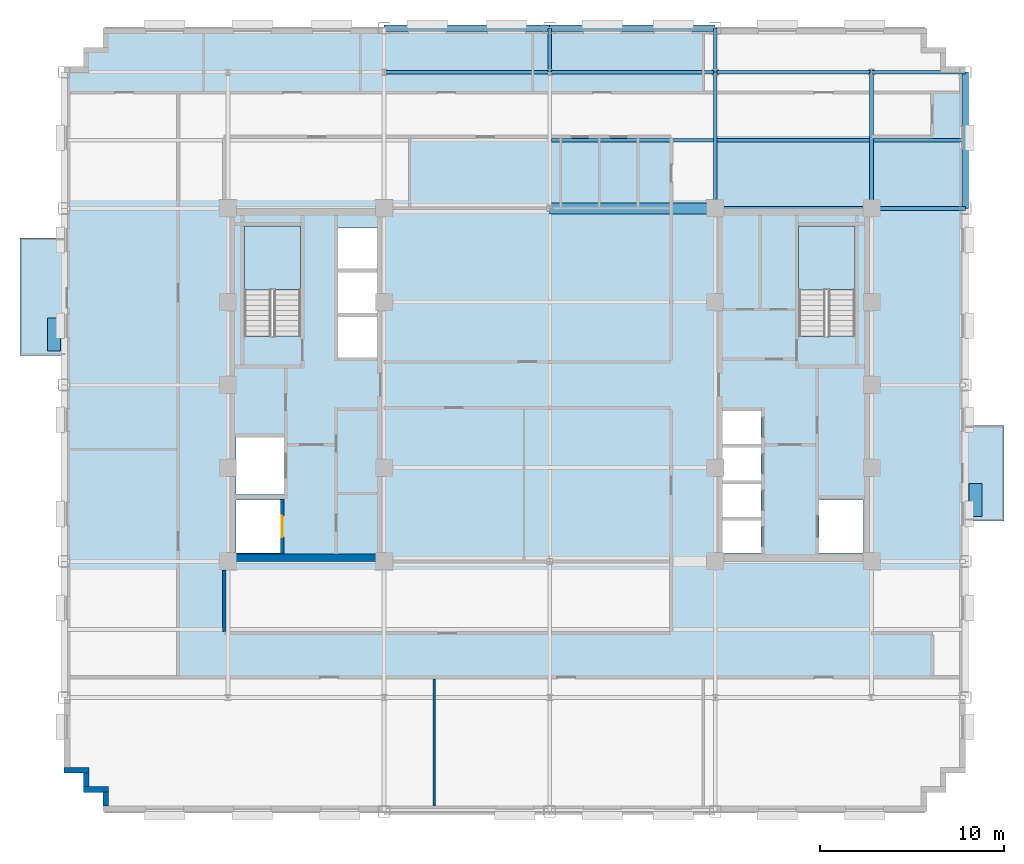
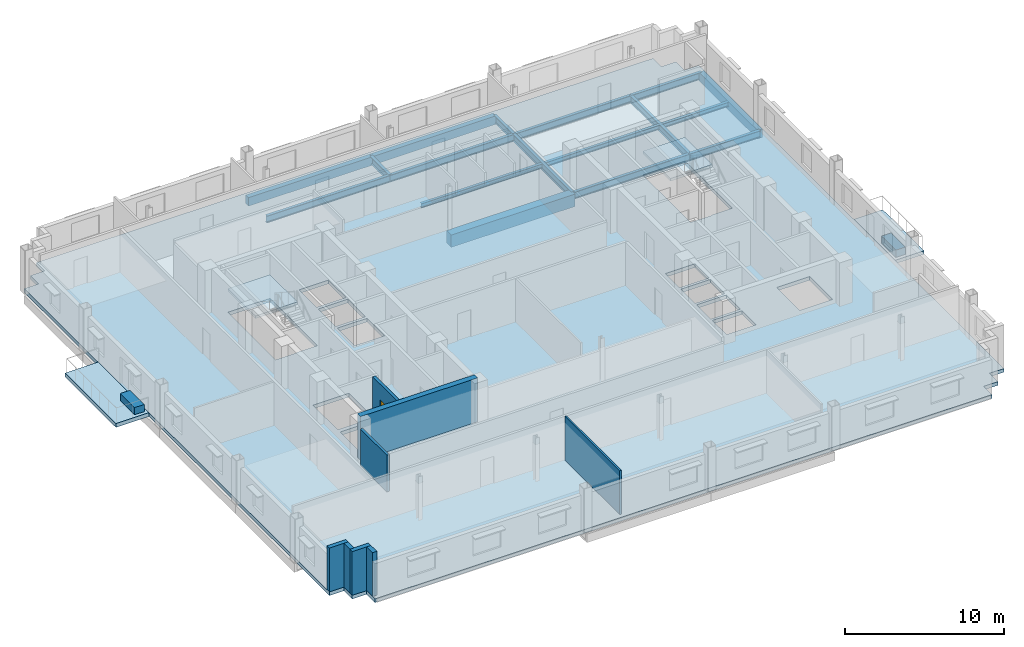
# One storey, part 6 of 14: 17 beams, 8 walls, 5 slabs, 2 plates, 1 door, 1 opening, 2 elements without a shape of their own.
"""IFC4 building model written with IfcOpenShell, lengths in metres."""

from ifc_helpers import new_model, si_unit, direction, frame, frame_2d, origin, origin_2d, place, context, subcontext, project, spatial, polyline, rectangle, i_section, outline, extrude, source, transform, mapped, material, layer, layer_set, material_profile, profile_set, type_object, type_shapes, element, fill, aggregate, save


model = new_model("IFC4")

# Units and contexts
model_context = context("Model", 3, precision=1e-05, world=origin(), true_north=direction((0.0, 1.0)))
body_context = subcontext(model_context, "Body", "Model", "MODEL_VIEW")
ifc_project = project(units=[si_unit("LENGTHUNIT", "METRE"), si_unit("AREAUNIT", "SQUARE_METRE"), si_unit("VOLUMEUNIT", "CUBIC_METRE"), si_unit("PLANEANGLEUNIT", "RADIAN"), si_unit("MASSUNIT", "GRAM", prefix="KILO")], contexts=[model_context])

# Site, building, storey
site_placement = place(None, origin())
site = spatial("IfcSite", under=ifc_project, at=site_placement, CompositionType="ELEMENT")
building_placement = place(site_placement, origin())
building = spatial("IfcBuilding", under=site, at=building_placement, Name="Nuvemarco Arch Tower", CompositionType="ELEMENT")
storey_placement = place(building_placement, frame((0.0, 0.0, 171.300048828125)))
storey = spatial("IfcBuildingStorey", under=building, at=storey_placement, Name="L45", CompositionType="ELEMENT", Elevation=171.300048828125)

# Beams
ifc_material_1 = material(Name="Concrete C60/75", Category="concrete")
ifc_material_profile_1 = material_profile(ifc_material_1, rectangle(XDim=0.60009765625, YDim=0.949951171875, at=origin_2d()), Name="RC-BM-600x950")
ifc_profile_set_1 = profile_set([ifc_material_profile_1], Name="Concrete C60/75")
beam_type_1 = type_object("IfcBeamType", Name="BM-COUP-RC", PredefinedType="LINTEL", material=ifc_profile_set_1)
beam_1_placement = place(storey_placement, frame((0.0, 9.60009765625, -0.755126953125), z_axis=(1.0, 0.0, 0.0), x_axis=(0.0, 1.0, 0.0)))
element("IfcBeam", 1, at=beam_1_placement, inside=storey, type_object=beam_type_1, Name="L45 structural beam BGEW_L45_0_+9.6_+0.0", PredefinedType="LINTEL", context=body_context, shape_type="SweptSolid", body=[
    extrude(rectangle(XDim=0.60009765625, YDim=0.949951171875, at=origin_2d()), origin(), (0.0, 0.0, 1.0), 9.0),
])
ifc_material_2 = material(Name="Steel S355", Category="steel")
ifc_material_profile_2 = material_profile(ifc_material_2, i_section(OverallWidth=0.2109375, OverallDepth=0.5390625, WebThickness=0.01171875, FlangeThickness=0.018798828125, FilletRadius=0.01611328125, at=origin_2d()), Name="W530x109")
ifc_profile_set_2 = profile_set([ifc_material_profile_2], Name="Steel S355")
beam_type_2 = type_object("IfcBeamType", Name="BM-GIRD-530", PredefinedType="BEAM", material=ifc_profile_set_2)
beam_2_placement = place(storey_placement, frame((0.0, 17.0, -0.549560546875), z_axis=(0.0, 1.0, 0.0), x_axis=(-1.0, 0.0, 0.0)))
element("IfcBeam", 2, at=beam_2_placement, inside=storey, type_object=beam_type_2, Name="L45 structural beam BGNS_L45_0_+0.0_+17.0", PredefinedType="BEAM", context=body_context, shape_type="SweptSolid", body=[
    extrude(i_section(OverallWidth=0.2109375, OverallDepth=0.5390625, WebThickness=0.01171875, FlangeThickness=0.018798828125, FilletRadius=0.01611328125, at=origin_2d()), origin(), (0.0, 0.0, 1.0), 2.39990234375),
])
beam_3_placement = place(storey_placement, frame((9.0, 9.60009765625, -0.549560546875), z_axis=(0.0, 1.0, 0.0), x_axis=(-1.0, 0.0, 0.0)))
element("IfcBeam", 3, at=beam_3_placement, inside=storey, type_object=beam_type_2, Name="L45 structural beam BGNS_L45_0_+9.0_+9.6", PredefinedType="BEAM", context=body_context, shape_type="SweptSolid", body=[
    extrude(i_section(OverallWidth=0.2109375, OverallDepth=0.5390625, WebThickness=0.01171875, FlangeThickness=0.018798828125, FilletRadius=0.01611328125, at=origin_2d()), origin(), (0.0, 0.0, 1.0), 7.39990234375),
])
beam_4_placement = place(storey_placement, frame((9.0, 17.0, -0.549560546875), z_axis=(0.0, 1.0, 0.0), x_axis=(-1.0, 0.0, 0.0)))
element("IfcBeam", 4, at=beam_4_placement, inside=storey, type_object=beam_type_2, Name="L45 structural beam BGNS_L45_0_+9.0_+17.0", PredefinedType="BEAM", context=body_context, shape_type="SweptSolid", body=[
    extrude(i_section(OverallWidth=0.2109375, OverallDepth=0.5390625, WebThickness=0.01171875, FlangeThickness=0.018798828125, FilletRadius=0.01611328125, at=origin_2d()), origin(), (0.0, 0.0, 1.0), 2.39990234375),
])
beam_5_placement = place(storey_placement, frame((17.5, 9.60009765625, -0.549560546875), z_axis=(0.0, 1.0, 0.0), x_axis=(-1.0, 0.0, 0.0)))
element("IfcBeam", 5, at=beam_5_placement, inside=storey, type_object=beam_type_2, Name="L45 structural beam BGNS_L45_0_+17.5_+9.6", PredefinedType="BEAM", context=body_context, shape_type="SweptSolid", body=[
    extrude(i_section(OverallWidth=0.2109375, OverallDepth=0.5390625, WebThickness=0.01171875, FlangeThickness=0.018798828125, FilletRadius=0.01611328125, at=origin_2d()), origin(), (0.0, 0.0, 1.0), 7.39990234375),
])
beam_6_placement = place(storey_placement, frame((9.0, 9.60009765625, -0.549560546875), z_axis=(1.0, 0.0, 0.0), x_axis=(0.0, 1.0, 0.0)))
element("IfcBeam", 6, at=beam_6_placement, inside=storey, type_object=beam_type_2, Name="L45 structural beam BGEW_L45_0_+9.6_+9.0", PredefinedType="BEAM", context=body_context, shape_type="SweptSolid", body=[
    extrude(i_section(OverallWidth=0.2109375, OverallDepth=0.5390625, WebThickness=0.01171875, FlangeThickness=0.018798828125, FilletRadius=0.01611328125, at=origin_2d()), origin(), (0.0, 0.0, 1.0), 8.5),
])
beam_7_placement = place(storey_placement, frame((17.5, 9.60009765625, -0.549560546875), z_axis=(1.0, 0.0, 0.0), x_axis=(0.0, 1.0, 0.0)))
element("IfcBeam", 7, at=beam_7_placement, inside=storey, type_object=beam_type_2, Name="L45 structural beam BGEW_L45_0_+9.6_+17.5", PredefinedType="BEAM", context=body_context, shape_type="SweptSolid", body=[
    extrude(i_section(OverallWidth=0.2109375, OverallDepth=0.5390625, WebThickness=0.01171875, FlangeThickness=0.018798828125, FilletRadius=0.01611328125, at=origin_2d()), origin(), (0.0, 0.0, 1.0), 5.10009765625),
])
for number, where, z_axis, x_axis, name in (
    (8, (-9.0, 17.0, -0.549560546875), (1.0, 0.0, 0.0), (0.0, 1.0, 0.0), "L45 structural beam BGEW_L45_0_+17.0_-9.0"),
    (9, (0.0, 17.0, -0.549560546875), (1.0, 0.0, 0.0), (0.0, 1.0, 0.0), "L45 structural beam BGEW_L45_0_+17.0_+0.0"),
):
    element("IfcBeam", number, at=place(storey_placement, frame(where, z_axis=z_axis, x_axis=x_axis)), inside=storey, type_object=beam_type_2, Name=name, PredefinedType="BEAM", context=body_context, shape_type="SweptSolid", body=[
        extrude(i_section(OverallWidth=0.2109375, OverallDepth=0.5390625, WebThickness=0.01171875, FlangeThickness=0.018798828125, FilletRadius=0.01611328125, at=origin_2d()), origin(), (0.0, 0.0, 1.0), 9.0),
    ])
beam_8_placement = place(storey_placement, frame((9.0, 17.0, -0.549560546875), z_axis=(1.0, 0.0, 0.0), x_axis=(0.0, 1.0, 0.0)))
element("IfcBeam", 10, at=beam_8_placement, inside=storey, type_object=beam_type_2, Name="L45 structural beam BGEW_L45_0_+17.0_+9.0", PredefinedType="BEAM", context=body_context, shape_type="SweptSolid", body=[
    extrude(i_section(OverallWidth=0.2109375, OverallDepth=0.5390625, WebThickness=0.01171875, FlangeThickness=0.018798828125, FilletRadius=0.01611328125, at=origin_2d()), origin(), (0.0, 0.0, 1.0), 8.5),
])
beam_9_placement = place(storey_placement, frame((17.5, 17.0, -0.549560546875), z_axis=(1.0, 0.0, 0.0), x_axis=(0.0, 1.0, 0.0)))
element("IfcBeam", 11, at=beam_9_placement, inside=storey, type_object=beam_type_2, Name="L45 structural beam BGEW_L45_0_+17.0_+17.5", PredefinedType="BEAM", context=body_context, shape_type="SweptSolid", body=[
    extrude(i_section(OverallWidth=0.2109375, OverallDepth=0.5390625, WebThickness=0.01171875, FlangeThickness=0.018798828125, FilletRadius=0.01611328125, at=origin_2d()), origin(), (0.0, 0.0, 1.0), 5.10009765625),
])
ifc_material_profile_3 = material_profile(ifc_material_2, i_section(OverallWidth=0.202880859375, OverallDepth=0.346923828125, WebThickness=0.0078125, FlangeThickness=0.013427734375, FilletRadius=0.014892578125, at=origin_2d()), Name="W360x64")
ifc_profile_set_3 = profile_set([ifc_material_profile_3], Name="Steel S355")
beam_type_3 = type_object("IfcBeamType", Name="BM-JOIST-360", PredefinedType="JOIST", material=ifc_profile_set_3)
beam_10_placement = place(storey_placement, frame((0.10546875, 13.300048828125, -0.45361328125), z_axis=(1.0, 0.0, 0.0), x_axis=(0.0, 1.0, 0.0)))
element("IfcBeam", 12, at=beam_10_placement, inside=storey, type_object=beam_type_3, Name="L45 structural beam BJ_L45_0_+13.3_+0.0", PredefinedType="JOIST", context=body_context, shape_type="SweptSolid", body=[
    extrude(i_section(OverallWidth=0.202880859375, OverallDepth=0.346923828125, WebThickness=0.0078125, FlangeThickness=0.013427734375, FilletRadius=0.014892578125, at=origin_2d()), origin(), (0.0, 0.0, 1.0), 8.7890625),
])
beam_11_placement = place(storey_placement, frame((9.10546875, 13.300048828125, -0.45361328125), z_axis=(1.0, 0.0, 0.0), x_axis=(0.0, 1.0, 0.0)))
element("IfcBeam", 13, at=beam_11_placement, inside=storey, type_object=beam_type_3, Name="L45 structural beam BJ_L45_0_+13.3_+9.0", PredefinedType="JOIST", context=body_context, shape_type="SweptSolid", body=[
    extrude(i_section(OverallWidth=0.202880859375, OverallDepth=0.346923828125, WebThickness=0.0078125, FlangeThickness=0.013427734375, FilletRadius=0.014892578125, at=origin_2d()), origin(), (0.0, 0.0, 1.0), 8.2890625),
])
beam_12_placement = place(storey_placement, frame((17.60546875, 13.300048828125, -0.45361328125), z_axis=(1.0, 0.0, 0.0), x_axis=(0.0, 1.0, 0.0)))
element("IfcBeam", 14, at=beam_12_placement, inside=storey, type_object=beam_type_3, Name="L45 structural beam BJ_L45_0_+13.3_+17.5", PredefinedType="JOIST", context=body_context, shape_type="SweptSolid", body=[
    extrude(i_section(OverallWidth=0.202880859375, OverallDepth=0.346923828125, WebThickness=0.0078125, FlangeThickness=0.013427734375, FilletRadius=0.014892578125, at=origin_2d()), origin(), (0.0, 0.0, 1.0), 4.819580078125),
])
ifc_material_3 = material(Name="Precast concrete C45/55", Category="concrete")
ifc_material_profile_4 = material_profile(ifc_material_3, rectangle(XDim=0.35009765625, YDim=0.64990234375, at=origin_2d()), Name="PC-SP-350x650")
ifc_profile_set_4 = profile_set([ifc_material_profile_4], Name="Precast concrete C45/55")
beam_type_4 = type_object("IfcBeamType", Name="BM-SPAN-RC", PredefinedType="SPANDREL", material=ifc_profile_set_4)
beam_13_placement = place(storey_placement, frame((22.60009765625, 9.60009765625, -0.60498046875), z_axis=(0.0, 1.0, 0.0), x_axis=(-1.0, 0.0, 0.0)))
element("IfcBeam", 15, at=beam_13_placement, inside=storey, type_object=beam_type_4, Name="L45 structural beam BGNS_L45_0_+22.6_+9.6", PredefinedType="SPANDREL", context=body_context, shape_type="SweptSolid", body=[
    extrude(rectangle(XDim=0.35009765625, YDim=0.64990234375, at=origin_2d()), origin(), (0.0, 0.0, 1.0), 7.39990234375),
])
for number, where, z_axis, x_axis, name in (
    (16, (-9.0, 19.39990234375, -0.60498046875), (1.0, 0.0, 0.0), (0.0, 1.0, 0.0), "L45 structural beam BGEW_L45_0_+19.4_-9.0"),
    (17, (0.0, 19.39990234375, -0.60498046875), (1.0, 0.0, 0.0), (0.0, 1.0, 0.0), "L45 structural beam BGEW_L45_0_+19.4_+0.0"),
):
    element("IfcBeam", number, at=place(storey_placement, frame(where, z_axis=z_axis, x_axis=x_axis)), inside=storey, type_object=beam_type_4, Name=name, PredefinedType="SPANDREL", context=body_context, shape_type="SweptSolid", body=[
        extrude(rectangle(XDim=0.35009765625, YDim=0.64990234375, at=origin_2d()), origin(), (0.0, 0.0, 1.0), 9.0),
    ])

# Slab
ifc_material_4 = material(Name="Concrete C50/60", Category="concrete")
ifc_layer_1 = layer(ifc_material_4, 0.280029296875, Name="SL-FLR-280")
ifc_layer_set_1 = layer_set([ifc_layer_1], Name="Concrete C50/60")
slab_type_1 = type_object("IfcSlabType", Name="SL-FLR-280", PredefinedType="FLOOR", material=ifc_layer_set_1)
slab_1_placement = place(storey_placement, frame((0.0, 0.0, -0.280029296875)))
element("IfcSlab", 18, at=slab_1_placement, inside=storey, type_object=slab_type_1, Name="L45 structural floor slab", PredefinedType="FLOOR", context=body_context, shape_type="SweptSolid", body=[
    extrude(outline(polyline([(-24.300048828125, -23.199951171875), (20.5, -23.199951171875), (20.5, -22.14990234375), (21.550048828125, -22.14990234375), (21.550048828125, -21.10009765625), (22.60009765625, -21.10009765625), (22.60009765625, 17.300048828125), (21.550048828125, 17.300048828125), (21.550048828125, 18.35009765625), (20.5, 18.35009765625), (20.5, 19.39990234375), (-24.300048828125, 19.39990234375), (-24.300048828125, 18.35009765625), (-25.35009765625, 18.35009765625), (-25.35009765625, 17.300048828125), (-26.39990234375, 17.300048828125), (-26.39990234375, -21.10009765625), (-25.35009765625, -21.10009765625), (-25.35009765625, -22.14990234375), (-24.300048828125, -22.14990234375), (-24.300048828125, -23.199951171875)]), holes=[polyline([(-13.5400390625, 2.669921875), (-13.5400390625, 8.64990234375), (-16.60009765625, 8.64990234375), (-16.60009765625, 2.630615234375), (-15.070068359375, 2.630615234375), (-15.070068359375, 2.669921875), (-13.5400390625, 2.669921875)]), polyline([(16.60009765625, 2.669921875), (16.60009765625, 8.64990234375), (13.5400390625, 8.64990234375), (13.5400390625, 2.630615234375), (15.070068359375, 2.630615234375), (15.070068359375, 2.669921875), (16.60009765625, 2.669921875)]), polyline([(-17.050048828125, -9.14990234375), (-14.64990234375, -9.14990234375), (-14.64990234375, -6.25), (-17.050048828125, -6.25), (-17.050048828125, -9.14990234375)]), polyline([(-17.050048828125, -5.949951171875), (-14.449951171875, -5.949951171875), (-14.449951171875, -2.85009765625), (-17.050048828125, -2.85009765625), (-17.050048828125, -5.949951171875)]), polyline([(-11.5, 1.5), (-9.35009765625, 1.5), (-9.35009765625, 3.699951171875), (-11.5, 3.699951171875), (-11.5, 1.5)]), polyline([(-11.5, 3.919921875), (-9.35009765625, 3.919921875), (-9.35009765625, 6.1201171875), (-11.5, 6.1201171875), (-11.5, 3.919921875)]), polyline([(-11.5, 6.340087890625), (-9.35009765625, 6.340087890625), (-9.35009765625, 8.5400390625), (-11.5, 8.5400390625), (-11.5, 6.340087890625)]), polyline([(14.64990234375, -9.14990234375), (17.050048828125, -9.14990234375), (17.050048828125, -6.25), (14.64990234375, -6.25), (14.64990234375, -9.14990234375)]), polyline([(9.35009765625, -9.14990234375), (11.5, -9.14990234375), (11.5, -7.3701171875), (9.35009765625, -7.3701171875), (9.35009765625, -9.14990234375)]), polyline([(9.35009765625, -7.169921875), (11.5, -7.169921875), (11.5, -5.389892578125), (9.35009765625, -5.389892578125), (9.35009765625, -7.169921875)]), polyline([(9.35009765625, -5.18994140625), (11.5, -5.18994140625), (11.5, -3.409912109375), (9.35009765625, -3.409912109375), (9.35009765625, -5.18994140625)]), polyline([(9.35009765625, -3.2099609375), (11.5, -3.2099609375), (11.5, -1.429931640625), (9.35009765625, -1.429931640625), (9.35009765625, -3.2099609375)])]), origin(), (0.0, 0.0, 1.0), 0.280029296875),
])

# Stair, slab
stair_type = type_object("IfcStairType", Name="ST-CORE-20R", PredefinedType="HALF_TURN_STAIR", material=ifc_material_3)
stair_1_placement = place(storey_placement, origin())
stair_1 = element("IfcStair", 19, at=stair_1_placement, inside=storey, type_object=stair_type, Name="L45 Protected Exit Stair ST-1", PredefinedType="HALF_TURN_STAIR")
ifc_layer_2 = layer(ifc_material_3, 0.199951171875, Name="SL-LANDING-200")
ifc_layer_set_2 = layer_set([ifc_layer_2], Name="Precast concrete C45/55")
slab_type_2 = type_object("IfcSlabType", Name="SL-LANDING-200", PredefinedType="LANDING", material=ifc_layer_set_2)
slab_2_placement = place(storey_placement, frame((0.0, 0.0, 1.625)))
slab_2 = element("IfcSlab", 20, at=slab_2_placement, type_object=slab_type_2, Name="ST-20R landing 1", PredefinedType="LANDING", context=body_context, shape_type="SweptSolid", body=[
    extrude(outline(polyline([(-13.5400390625, 5.189453125), (-13.5400390625, 8.64990234375), (-16.60009765625, 8.64990234375), (-16.60009765625, 5.169921875), (-15.070068359375, 5.169921875), (-15.070068359375, 5.189453125), (-13.5400390625, 5.189453125)])), origin(), (0.0, 0.0, 1.0), 0.199951171875),
])
aggregate(stair_1, [slab_2])

stair_2_placement = place(storey_placement, origin())
stair_2 = element("IfcStair", 21, at=stair_2_placement, inside=storey, type_object=stair_type, Name="L45 Protected Exit Stair ST-2", PredefinedType="HALF_TURN_STAIR")
slab_3_placement = place(storey_placement, frame((0.0, 0.0, 1.625)))
slab_3 = element("IfcSlab", 22, at=slab_3_placement, type_object=slab_type_2, Name="ST-20R landing 1", PredefinedType="LANDING", context=body_context, shape_type="SweptSolid", body=[
    extrude(outline(polyline([(16.60009765625, 5.189453125), (16.60009765625, 8.64990234375), (13.5400390625, 8.64990234375), (13.5400390625, 5.169921875), (15.070068359375, 5.169921875), (15.070068359375, 5.189453125), (16.60009765625, 5.189453125)])), origin(), (0.0, 0.0, 1.0), 0.199951171875),
])
aggregate(stair_2, [slab_3])

# Slabs
ifc_layer_3 = layer(ifc_material_4, 0.264892578125, Name="SL-TB1")
ifc_layer_set_3 = layer_set([ifc_layer_3], Name="Concrete C50/60")
slab_type_3 = type_object("IfcSlabType", Name="SL-TB1", PredefinedType="FLOOR", material=ifc_layer_set_3)
slab_4_placement = place(storey_placement, frame((0.0, 0.0, -0.26513671875)))
element("IfcSlab", 23, at=slab_4_placement, inside=storey, type_object=slab_type_3, Name="L45 outdoor tree balcony slab 2", PredefinedType="FLOOR", context=body_context, shape_type="SweptSolid", body=[
    extrude(outline(polyline([(22.60009765625, -7.39990234375), (24.699951171875, -7.39990234375), (24.699951171875, -2.199951171875), (22.60009765625, -2.199951171875), (22.60009765625, -7.39990234375)])), origin(), (0.0, 0.0, 1.0), 0.26513671875),
])
ifc_layer_4 = layer(ifc_material_4, 0.294921875, Name="SL-TR4")
ifc_layer_set_4 = layer_set([ifc_layer_4], Name="Concrete C50/60")
slab_type_4 = type_object("IfcSlabType", Name="SL-TR4", PredefinedType="FLOOR", material=ifc_layer_set_4)
slab_5_placement = place(storey_placement, frame((0.0, 0.0, -0.295166015625)))
element("IfcSlab", 24, at=slab_5_placement, inside=storey, type_object=slab_type_4, Name="L45 outdoor spiral terrace slab 1", PredefinedType="FLOOR", context=body_context, shape_type="SweptSolid", body=[
    extrude(outline(polyline([(-28.800048828125, 1.60009765625), (-26.39990234375, 1.60009765625), (-26.39990234375, 8.0), (-28.800048828125, 8.0), (-28.800048828125, 1.60009765625)])), origin(), (0.0, 0.0, 1.0), 0.295166015625),
])

# Plates
ifc_layer_5 = layer(ifc_material_3, 0.550048828125, Name="Tree Balcony Structural Planter")
ifc_layer_set_5 = layer_set([ifc_layer_5], Name="Precast concrete C45/55")
plate_type = type_object("IfcPlateType", Name="Tree Balcony Structural Planter", PredefinedType="USERDEFINED", material=ifc_layer_set_5)
shared_shape_1 = source(origin(), body_context, "Body", "SweptSolid", [
    extrude(rectangle(XDim=1.800048828125, YDim=0.699951171875, at=origin_2d()), origin(), (0.0, 0.0, 1.0), 0.550048828125),
])
type_shapes(plate_type, [shared_shape_1])
for number, where, z_axis, x_axis, name in (
    (25, (-26.949951171875, 2.75, 0.0), (0.0, 0.0, 1.0), (0.0, 1.0, 0.0), "L45 Tree Balcony Structural Planter"),
    (26, (23.14990234375, -6.25, 0.0), (0.0, 0.0, 1.0), (0.0, 1.0, 0.0), "L45 Tree Balcony Structural Planter"),
):
    element("IfcPlate", number, at=place(storey_placement, frame(where, z_axis=z_axis, x_axis=x_axis)), inside=storey, type_object=plate_type, Name=name, ObjectType="PLANTER", PredefinedType="USERDEFINED", context=body_context, shape_type="MappedRepresentation", body=[
        mapped(shared_shape_1, transform((0.0, 0.0, 0.0), scale=1.0)),
    ])

# Walls
ifc_layer_6 = layer(ifc_material_3, 0.31005859375, Name="EW-UPP-310")
ifc_layer_set_6 = layer_set([ifc_layer_6], Name="Precast concrete C45/55")
wall_type_1 = type_object("IfcWallType", Name="EW-UPP-310", PredefinedType="STANDARD", material=ifc_layer_set_6)
wall_1_placement = place(storey_placement, frame((-26.39990234375, -20.945068359375, 0.0), z_axis=(0.0, 0.0, 1.0), x_axis=(1.0, 0.0, 0.0)))
element("IfcWall", 27, at=wall_1_placement, inside=storey, type_object=wall_type_1, Name="L45 exterior precast facade wall 17", PredefinedType="STANDARD", context=body_context, shape_type="SweptSolid", body=[
    extrude(rectangle(XDim=1.35986328125, YDim=0.31005859375, at=frame_2d((0.679931640625, 0.0))), origin(), (0.0, 0.0, 1.0), 3.35986328125),
])
wall_2_placement = place(storey_placement, frame((-25.195068359375, -21.843994140625, 0.0), z_axis=(0.0, 0.0, 1.0), x_axis=(0.0, 1.0, 0.0)))
element("IfcWall", 28, at=wall_2_placement, inside=storey, type_object=wall_type_1, Name="L45 exterior precast facade wall 18", PredefinedType="STANDARD", context=body_context, shape_type="SweptSolid", body=[
    extrude(rectangle(XDim=0.748046875, YDim=0.31005859375, at=frame_2d((0.3740234375, 0.0))), origin(), (0.0, 0.0, 1.0), 3.35986328125),
])
wall_3_placement = place(storey_placement, frame((-25.35009765625, -21.9951171875, 0.0), z_axis=(0.0, 0.0, 1.0), x_axis=(1.0, 0.0, 0.0)))
element("IfcWall", 29, at=wall_3_placement, inside=storey, type_object=wall_type_1, Name="L45 exterior precast facade wall 19", PredefinedType="STANDARD", context=body_context, shape_type="SweptSolid", body=[
    extrude(rectangle(XDim=1.360107421875, YDim=0.31005859375, at=frame_2d((0.68017578125, 0.0))), origin(), (0.0, 0.0, 1.0), 3.35986328125),
])
wall_4_placement = place(storey_placement, frame((-24.14501953125, -22.89404296875, 0.0), z_axis=(0.0, 0.0, 1.0), x_axis=(0.0, 1.0, 0.0)))
element("IfcWall", 30, at=wall_4_placement, inside=storey, type_object=wall_type_1, Name="L45 exterior precast facade wall 20", PredefinedType="STANDARD", context=body_context, shape_type="SweptSolid", body=[
    extrude(rectangle(XDim=0.748046875, YDim=0.31005859375, at=frame_2d((0.3740234375, 0.0))), origin(), (0.0, 0.0, 1.0), 3.35986328125),
])
ifc_layer_7 = layer(ifc_material_1, 0.39990234375, Name="WL-CORE-400")
ifc_layer_set_7 = layer_set([ifc_layer_7], Name="Concrete C60/75")
wall_type_2 = type_object("IfcWallType", Name="WL-CORE-400", PredefinedType="SHEAR", material=ifc_layer_set_7)
wall_5_placement = place(storey_placement, frame((-17.5, -9.39990234375, 0.0), z_axis=(0.0, 0.0, 1.0), x_axis=(1.0, 0.0, 0.0)))
element("IfcWall", 31, at=wall_5_placement, inside=storey, type_object=wall_type_2, Name="L45 W-core shear wall S", PredefinedType="SHEAR", context=body_context, shape_type="SweptSolid", body=[
    extrude(rectangle(XDim=8.5, YDim=0.39990234375, at=frame_2d((4.25, 0.0))), origin(), (0.0, 0.0, 1.0), 3.369873046875),
])
ifc_material_5 = material(Name="Fire-rated gypsum drywall partition")
ifc_layer_8 = layer(ifc_material_5, 0.179931640625, Name="WL-CORR-180")
ifc_layer_set_8 = layer_set([ifc_layer_8], Name="Fire-rated gypsum drywall partition")
wall_type_3 = type_object("IfcWallType", Name="WL-CORR-180", PredefinedType="PARTITIONING", material=ifc_layer_set_8)
wall_6_placement = place(storey_placement, frame((-17.699951171875, -13.4140625, 0.0), z_axis=(0.0, 0.0, 1.0), x_axis=(0.0, 1.0, 0.0)))
element("IfcWall", 32, at=wall_6_placement, inside=storey, type_object=wall_type_3, Name="L45 interior wall IW-L45-016", PredefinedType="PARTITIONING", context=body_context, shape_type="SweptSolid", body=[
    extrude(rectangle(XDim=3.343017578125, YDim=0.179931640625, at=frame_2d((1.67138671875, 0.0))), origin(), (0.0, 0.0, 1.0), 2.81591796875),
])
ifc_material_6 = material(Name="Glazed acoustic office partition")
ifc_layer_9 = layer(ifc_material_6, 0.1298828125, Name="WL-EXEC-130")
ifc_layer_set_9 = layer_set([ifc_layer_9], Name="Glazed acoustic office partition")
wall_type_4 = type_object("IfcWallType", Name="WL-EXEC-130", PredefinedType="PARTITIONING", material=ifc_layer_set_9)
wall_7_placement = place(storey_placement, frame((-6.280029296875, -22.889892578125, 0.0), z_axis=(0.0, 0.0, 1.0), x_axis=(0.0, 1.0, 0.0)))
element("IfcWall", 33, at=wall_7_placement, inside=storey, type_object=wall_type_4, Name="L45 interior wall IW-L45-020", PredefinedType="PARTITIONING", context=body_context, shape_type="SweptSolid", body=[
    extrude(rectangle(XDim=6.90380859375, YDim=0.1298828125, at=frame_2d((3.451904296875, 0.0))), origin(), (0.0, 0.0, 1.0), 3.35986328125),
])

# Wall, opening, door
ifc_layer_10 = layer(ifc_material_4, 0.199951171875, Name="WL-SHAFT-220")
ifc_layer_set_10 = layer_set([ifc_layer_10], Name="Concrete C50/60")
wall_type_5 = type_object("IfcWallType", Name="WL-SHAFT-220", PredefinedType="SHEAR", material=ifc_layer_set_10)
wall_8_placement = place(storey_placement, frame((-14.550048828125, -9.205078125, 0.0), z_axis=(0.0, 0.0, 1.0), x_axis=(0.0, 1.0, 0.0)))
wall_8 = element("IfcWall", 34, at=wall_8_placement, inside=storey, type_object=wall_type_5, Name="L45 structural shaft wall SW-L45-W-SHE", PredefinedType="SHEAR", context=body_context, shape_type="SweptSolid", body=[
    extrude(rectangle(XDim=3.010009765625, YDim=0.199951171875, at=frame_2d((1.5048828125, 0.0))), origin(), (0.0, 0.0, 1.0), 3.369873046875),
])
opening_placement = place(wall_8_placement, frame((0.929931640625, 0.0, 0.0)))
opening = element("IfcOpeningElement", 35, at=opening_placement, cuts=wall_8, Name="Opening LD-2", PredefinedType="OPENING", context=body_context, shape_type="SweptSolid", body=[
    extrude(rectangle(XDim=1.14990234375, YDim=2.14990234375, at=frame_2d((0.574951171875, 1.074951171875))), frame((0.0, 0.10986328125, 0.0), z_axis=(0.0, -1.0, 0.0), x_axis=(1.0, 0.0, 0.0)), (0.0, 0.0, 1.0), 0.219970703125),
])
ifc_material_7 = material(Name="Stainless steel lift door", Category="steel")
door_type = type_object("IfcDoorType", Name="DR-LIFT-FIRE", OperationType="DOUBLE_DOOR_SLIDING", PredefinedType="DOOR", material=ifc_material_7)
shared_shape_2 = source(origin(), body_context, "Body", "SweptSolid", [
    extrude(rectangle(XDim=1.14990234375, YDim=2.14990234375, at=frame_2d((0.574951171875, 1.074951171875))), frame((0.0, 0.02490234375, 0.0), z_axis=(0.0, -1.0, 0.0), x_axis=(1.0, 0.0, 0.0)), (0.0, 0.0, 1.0), 0.050048828125),
])
type_shapes(door_type, [shared_shape_2])
door_placement = place(opening_placement, origin())
door = element("IfcDoor", 36, at=door_placement, inside=storey, type_object=door_type, Name="L45 Lift landing sliding door FFL-1", OperationType="DOUBLE_DOOR_SLIDING", OverallHeight=2.14990234375, OverallWidth=1.14990234375, PredefinedType="DOOR", context=body_context, shape_type="MappedRepresentation", body=[
    mapped(shared_shape_2, transform((0.0, 0.0, 0.0), scale=1.0)),
])
fill(opening, door)

save(model, "model.ifc")
